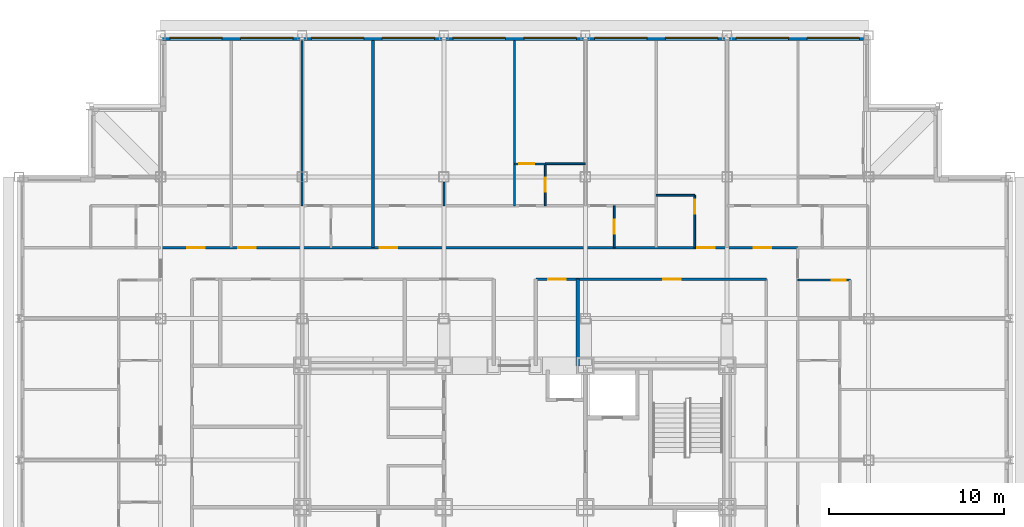
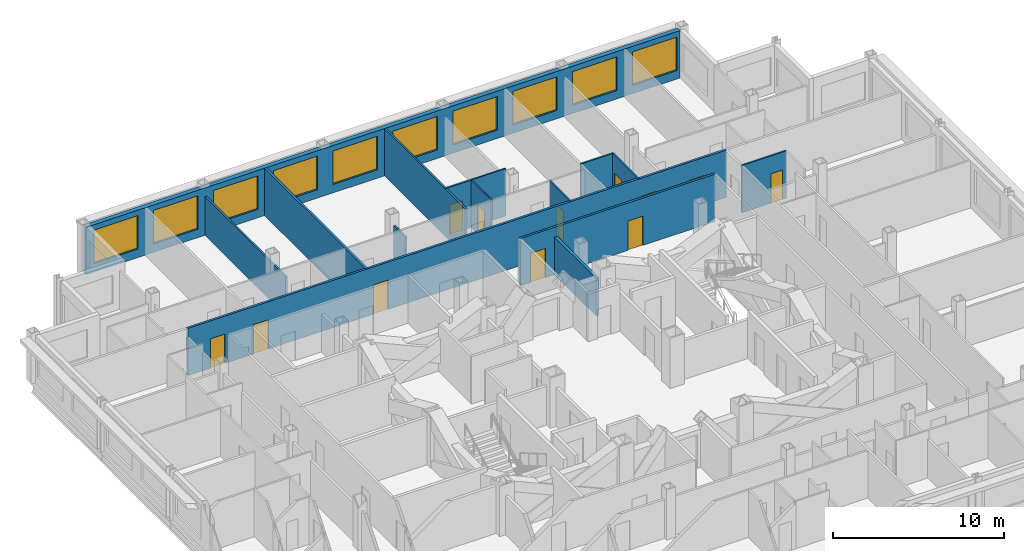
# One storey, part 10 of 12: 15 walls, 12 doors, 10 windows, 22 openings.
"""IFC4 building model written with IfcOpenShell, lengths in metres."""

from ifc_helpers import new_model, si_unit, direction, frame, frame_2d, origin, place, context, subcontext, project, spatial, rectangle, extrude, material, layer, layer_set, type_object, element, fill, save


model = new_model("IFC4")

# Units and contexts
model_context = context("Model", 3, precision=1e-05, world=origin(), true_north=direction((0.0, 1.0)))
body_context = subcontext(model_context, "Body", "Model", "MODEL_VIEW")
ifc_project = project(units=[si_unit("LENGTHUNIT", "METRE"), si_unit("AREAUNIT", "SQUARE_METRE"), si_unit("VOLUMEUNIT", "CUBIC_METRE"), si_unit("PLANEANGLEUNIT", "RADIAN"), si_unit("MASSUNIT", "GRAM", prefix="KILO")], contexts=[model_context])

# Site, building, storey
site_placement = place(None, origin())
site = spatial("IfcSite", under=ifc_project, at=site_placement, CompositionType="ELEMENT")
building_placement = place(site_placement, origin())
building = spatial("IfcBuilding", under=site, at=building_placement, Name="Kopane Lantern Tower", CompositionType="ELEMENT")
storey_placement = place(building_placement, frame((0.0, 0.0, 202.800048828125)))
storey = spatial("IfcBuildingStorey", under=building, at=storey_placement, Name="L52", CompositionType="ELEMENT", Elevation=202.800048828125)

# Walls
ifc_material_1 = material(Name="Gypsum board on steel studs", Category="steel")
ifc_layer_1 = layer(ifc_material_1, 0.1201171875)
ifc_layer_set_1 = layer_set([ifc_layer_1], Name="APARTMENT INTERNAL WALL 120")
wall_type_1 = type_object("IfcWallType", Name="APARTMENT INTERNAL WALL 120", PredefinedType="PARTITIONING", material=ifc_layer_set_1)
wall_1_placement = place(storey_placement, frame((16.199951171875, 49.64990234375, 0.0), z_axis=(0.0, 0.0, 1.0), x_axis=(0.0, 1.0, 0.0)))
element("IfcWall", 1, at=wall_1_placement, inside=storey, type_object=wall_type_1, Name="Apartment Internal Wall 120 L52", PredefinedType="PARTITIONING", context=body_context, shape_type="SweptSolid", body=[
    extrude(rectangle(XDim=9.4501953125, YDim=0.1201171875, at=frame_2d((4.72509765625, 0.0))), origin(), (0.0, 0.0, 1.0), 2.77783203125),
])
wall_2_placement = place(storey_placement, frame((28.35009765625, 49.64990234375, 0.0), z_axis=(0.0, 0.0, 1.0), x_axis=(0.0, 1.0, 0.0)))
element("IfcWall", 2, at=wall_2_placement, inside=storey, type_object=wall_type_1, Name="Apartment Internal Wall 120 L52", PredefinedType="PARTITIONING", context=body_context, shape_type="SweptSolid", body=[
    extrude(rectangle(XDim=9.4501953125, YDim=0.1201171875, at=frame_2d((4.72509765625, 0.0))), origin(), (0.0, 0.0, 1.0), 3.389892578125),
])

# Wall, opening, door
wall_3_placement = place(storey_placement, frame((28.35009765625, 52.050048828125, 0.0), z_axis=(0.0, 0.0, 1.0), x_axis=(1.0, 0.0, 0.0)))
wall_3 = element("IfcWall", 3, at=wall_3_placement, inside=storey, type_object=wall_type_1, Name="Apartment Internal Wall 120 L52", PredefinedType="PARTITIONING", context=body_context, shape_type="SweptSolid", body=[
    extrude(rectangle(XDim=1.760009765625, YDim=0.1201171875, at=frame_2d((0.8798828125, 0.0))), origin(), (0.0, 0.0, 1.0), 3.389892578125),
])
opening_1_placement = place(wall_3_placement, frame((0.27490234375, 0.0, 0.0)))
opening_1 = element("IfcOpeningElement", 4, at=opening_1_placement, cuts=wall_3, Name="Opening L52-081", PredefinedType="OPENING", context=body_context, shape_type="SweptSolid", body=[
    extrude(rectangle(XDim=0.85009765625, YDim=2.10009765625, at=frame_2d((0.425048828125, 1.050048828125))), frame((0.0, 0.070068359375, 0.0), z_axis=(0.0, -1.0, 0.0), x_axis=(1.0, 0.0, 0.0)), (0.0, 0.0, 1.0), 0.14013671875),
])
ifc_material_2 = material(Name="Timber door set", Category="wood")
door_type_1 = type_object("IfcDoorType", Name="DOOR D4 850x2100", OperationType="SINGLE_SWING_LEFT", PredefinedType="DOOR", material=ifc_material_2)
door_1_placement = place(opening_1_placement, origin())
door_1 = element("IfcDoor", 5, at=door_1_placement, inside=storey, type_object=door_type_1, Name="Door L52-081", OperationType="SINGLE_SWING_LEFT", OverallHeight=2.10009765625, OverallWidth=0.85009765625, PredefinedType="DOOR", context=body_context, shape_type="SweptSolid", body=[
    extrude(rectangle(XDim=0.85009765625, YDim=2.10009765625, at=frame_2d((0.425048828125, 1.050048828125))), frame((0.0, 0.02490234375, 0.0), z_axis=(0.0, -1.0, 0.0), x_axis=(1.0, 0.0, 0.0)), (0.0, 0.0, 1.0), 0.050048828125),
])
fill(opening_1, door_1)

# Wall
wall_4_placement = place(storey_placement, frame((24.300048828125, 49.64990234375, 0.0), z_axis=(0.0, 0.0, 1.0), x_axis=(0.0, 1.0, 0.0)))
element("IfcWall", 6, at=wall_4_placement, inside=storey, type_object=wall_type_1, Name="Apartment Internal Wall 120 L52", PredefinedType="PARTITIONING", context=body_context, shape_type="SweptSolid", body=[
    extrude(rectangle(XDim=1.35009765625, YDim=0.1201171875, at=frame_2d((0.675048828125, 0.0))), origin(), (0.0, 0.0, 1.0), 2.77783203125),
])

# Wall, opening, door
ifc_material_3 = material(Name="Moisture-resistant board on steel studs", Category="steel")
ifc_layer_2 = layer(ifc_material_3, 0.10009765625)
ifc_layer_set_2 = layer_set([ifc_layer_2], Name="BATHROOM WALL 100")
wall_type_2 = type_object("IfcWallType", Name="BATHROOM WALL 100", PredefinedType="PARTITIONING", material=ifc_layer_set_2)
wall_5_placement = place(storey_placement, frame((34.050048828125, 47.25, 0.0), z_axis=(0.0, 0.0, 1.0), x_axis=(0.0, 1.0, 0.0)))
wall_5 = element("IfcWall", 7, at=wall_5_placement, inside=storey, type_object=wall_type_2, Name="Bathroom Wall 100 L52", PredefinedType="PARTITIONING", context=body_context, shape_type="SweptSolid", body=[
    extrude(rectangle(XDim=2.39990234375, YDim=0.10009765625, at=frame_2d((1.199951171875, 0.0))), origin(), (0.0, 0.0, 1.0), 3.389892578125),
])
opening_2_placement = place(wall_5_placement, frame((0.800048828125, 0.0, 0.0)))
opening_2 = element("IfcOpeningElement", 8, at=opening_2_placement, cuts=wall_5, Name="Opening L52-033", PredefinedType="OPENING", context=body_context, shape_type="SweptSolid", body=[
    extrude(rectangle(XDim=0.800048828125, YDim=2.10009765625, at=frame_2d((0.39990234375, 1.050048828125))), frame((0.0, 0.06005859375, 0.0), z_axis=(0.0, -1.0, 0.0), x_axis=(1.0, 0.0, 0.0)), (0.0, 0.0, 1.0), 0.1201171875),
])
ifc_material_4 = material(Name="Timber door set", Category="wood")
door_type_2 = type_object("IfcDoorType", Name="DOOR D2 800x2100", OperationType="SINGLE_SWING_LEFT", PredefinedType="DOOR", material=ifc_material_4)
door_2_placement = place(opening_2_placement, origin())
door_2 = element("IfcDoor", 9, at=door_2_placement, inside=storey, type_object=door_type_2, Name="Door L52-033", OperationType="SINGLE_SWING_RIGHT", OverallHeight=2.10009765625, OverallWidth=0.800048828125, PredefinedType="DOOR", context=body_context, shape_type="SweptSolid", body=[
    extrude(rectangle(XDim=0.800048828125, YDim=2.10009765625, at=frame_2d((0.39990234375, 1.050048828125))), frame((0.0, 0.02490234375, 0.0), z_axis=(0.0, -1.0, 0.0), x_axis=(1.0, 0.0, 0.0)), (0.0, 0.0, 1.0), 0.050048828125),
])
fill(opening_2, door_2)

wall_6_placement = place(storey_placement, frame((30.10009765625, 49.64990234375, 0.0), z_axis=(0.0, 0.0, 1.0), x_axis=(0.0, 1.0, 0.0)))
wall_6 = element("IfcWall", 10, at=wall_6_placement, inside=storey, type_object=wall_type_2, Name="Bathroom Wall 100 L52", PredefinedType="PARTITIONING", context=body_context, shape_type="SweptSolid", body=[
    extrude(rectangle(XDim=2.400146484375, YDim=0.10009765625, at=frame_2d((1.2001953125, 0.0))), origin(), (0.0, 0.0, 1.0), 3.389892578125),
])
opening_3_placement = place(wall_6_placement, frame((0.800048828125, 0.0, 0.0)))
opening_3 = element("IfcOpeningElement", 11, at=opening_3_placement, cuts=wall_6, Name="Opening L52-036", PredefinedType="OPENING", context=body_context, shape_type="SweptSolid", body=[
    extrude(rectangle(XDim=0.800048828125, YDim=2.10009765625, at=frame_2d((0.39990234375, 1.050048828125))), frame((0.0, 0.06005859375, 0.0), z_axis=(0.0, -1.0, 0.0), x_axis=(1.0, 0.0, 0.0)), (0.0, 0.0, 1.0), 0.1201171875),
])
door_3_placement = place(opening_3_placement, origin())
door_3 = element("IfcDoor", 12, at=door_3_placement, inside=storey, type_object=door_type_2, Name="Door L52-036", OperationType="SINGLE_SWING_RIGHT", OverallHeight=2.10009765625, OverallWidth=0.800048828125, PredefinedType="DOOR", context=body_context, shape_type="SweptSolid", body=[
    extrude(rectangle(XDim=0.800048828125, YDim=2.10009765625, at=frame_2d((0.39990234375, 1.050048828125))), frame((0.0, 0.02490234375, 0.0), z_axis=(0.0, -1.0, 0.0), x_axis=(1.0, 0.0, 0.0)), (0.0, 0.0, 1.0), 0.050048828125),
])
fill(opening_3, door_3)

# Walls
wall_7_placement = place(storey_placement, frame((30.10009765625, 52.050048828125, 0.0), z_axis=(0.0, 0.0, 1.0), x_axis=(1.0, 0.0, 0.0)))
element("IfcWall", 13, at=wall_7_placement, inside=storey, type_object=wall_type_2, Name="Bathroom Wall 100 L52", PredefinedType="PARTITIONING", context=body_context, shape_type="SweptSolid", body=[
    extrude(rectangle(XDim=2.2998046875, YDim=0.10009765625, at=frame_2d((1.14990234375, 0.0))), origin(), (0.0, 0.0, 1.0), 3.389892578125),
])
wall_8_placement = place(storey_placement, frame((36.449951171875, 50.25, 0.0), z_axis=(0.0, 0.0, 1.0), x_axis=(1.0, 0.0, 0.0)))
element("IfcWall", 14, at=wall_8_placement, inside=storey, type_object=wall_type_2, Name="Bathroom Wall 100 L52", PredefinedType="PARTITIONING", context=body_context, shape_type="SweptSolid", body=[
    extrude(rectangle(XDim=2.199951171875, YDim=0.10009765625, at=frame_2d((1.10009765625, 0.0))), origin(), (0.0, 0.0, 1.0), 3.389892578125),
])

# Wall, opening, door
wall_9_placement = place(storey_placement, frame((38.64990234375, 47.25, 0.0), z_axis=(0.0, 0.0, 1.0), x_axis=(0.0, 1.0, 0.0)))
wall_9 = element("IfcWall", 15, at=wall_9_placement, inside=storey, type_object=wall_type_2, Name="Bathroom Wall 100 L52", PredefinedType="PARTITIONING", context=body_context, shape_type="SweptSolid", body=[
    extrude(rectangle(XDim=3.0, YDim=0.10009765625, at=frame_2d((1.5, 0.0))), origin(), (0.0, 0.0, 1.0), 3.389892578125),
])
opening_4_placement = place(wall_9_placement, frame((1.949951171875, 0.0, 0.0)))
opening_4 = element("IfcOpeningElement", 16, at=opening_4_placement, cuts=wall_9, Name="Opening L52-039", PredefinedType="OPENING", context=body_context, shape_type="SweptSolid", body=[
    extrude(rectangle(XDim=0.800048828125, YDim=2.10009765625, at=frame_2d((0.39990234375, 1.050048828125))), frame((0.0, 0.06005859375, 0.0), z_axis=(0.0, -1.0, 0.0), x_axis=(1.0, 0.0, 0.0)), (0.0, 0.0, 1.0), 0.1201171875),
])
door_4_placement = place(opening_4_placement, origin())
door_4 = element("IfcDoor", 17, at=door_4_placement, inside=storey, type_object=door_type_2, Name="Door L52-039", OperationType="SINGLE_SWING_RIGHT", OverallHeight=2.10009765625, OverallWidth=0.800048828125, PredefinedType="DOOR", context=body_context, shape_type="SweptSolid", body=[
    extrude(rectangle(XDim=0.800048828125, YDim=2.10009765625, at=frame_2d((0.39990234375, 1.050048828125))), frame((0.0, 0.02490234375, 0.0), z_axis=(0.0, -1.0, 0.0), x_axis=(1.0, 0.0, 0.0)), (0.0, 0.0, 1.0), 0.050048828125),
])
fill(opening_4, door_4)

wall_10_placement = place(storey_placement, frame((44.550048828125, 45.39990234375, 0.0), z_axis=(0.0, 0.0, 1.0), x_axis=(1.0, 0.0, 0.0)))
wall_10 = element("IfcWall", 18, at=wall_10_placement, inside=storey, type_object=wall_type_2, Name="Bathroom Wall 100 L52", PredefinedType="PARTITIONING", context=body_context, shape_type="SweptSolid", body=[
    extrude(rectangle(XDim=3.0, YDim=0.10009765625, at=frame_2d((1.5, 0.0))), origin(), (0.0, 0.0, 1.0), 3.389892578125),
])
opening_5_placement = place(wall_10_placement, frame((1.949951171875, 0.0, 0.0)))
opening_5 = element("IfcOpeningElement", 19, at=opening_5_placement, cuts=wall_10, Name="Opening L52-061", PredefinedType="OPENING", context=body_context, shape_type="SweptSolid", body=[
    extrude(rectangle(XDim=0.800048828125, YDim=2.10009765625, at=frame_2d((0.39990234375, 1.050048828125))), frame((0.0, 0.06005859375, 0.0), z_axis=(0.0, -1.0, 0.0), x_axis=(1.0, 0.0, 0.0)), (0.0, 0.0, 1.0), 0.1201171875),
])
door_5_placement = place(opening_5_placement, origin())
door_5 = element("IfcDoor", 20, at=door_5_placement, inside=storey, type_object=door_type_2, Name="Door L52-061", OperationType="SINGLE_SWING_LEFT", OverallHeight=2.10009765625, OverallWidth=0.800048828125, PredefinedType="DOOR", context=body_context, shape_type="SweptSolid", body=[
    extrude(rectangle(XDim=0.800048828125, YDim=2.10009765625, at=frame_2d((0.39990234375, 1.050048828125))), frame((0.0, 0.02490234375, 0.0), z_axis=(0.0, -1.0, 0.0), x_axis=(1.0, 0.0, 0.0)), (0.0, 0.0, 1.0), 0.050048828125),
])
fill(opening_5, door_5)

# Wall, openings, doors
ifc_material_5 = material(Name="Gypsum board on steel studs", Category="steel")
ifc_layer_3 = layer(ifc_material_5, 0.14990234375)
ifc_layer_set_3 = layer_set([ifc_layer_3], Name="CORRIDOR WALL 150 EI 60")
wall_type_3 = type_object("IfcWallType", Name="CORRIDOR WALL 150 EI 60", PredefinedType="PARTITIONING", material=ifc_layer_set_3)
wall_11_placement = place(storey_placement, frame((8.10009765625, 47.25, 0.0), z_axis=(0.0, 0.0, 1.0), x_axis=(1.0, 0.0, 0.0)))
wall_11 = element("IfcWall", 21, at=wall_11_placement, inside=storey, type_object=wall_type_3, Name="Corridor Wall 150 Ei 60 L52", PredefinedType="PARTITIONING", context=body_context, shape_type="SweptSolid", body=[
    extrude(rectangle(XDim=36.449951171875, YDim=0.14990234375, at=frame_2d((18.22509765625, 0.0))), origin(), (0.0, 0.0, 1.0), 3.389892578125),
])
opening_6_placement = place(wall_11_placement, frame((4.449951171875, 0.0, 0.0)))
opening_6 = element("IfcOpeningElement", 22, at=opening_6_placement, cuts=wall_11, Name="Opening L52-030", PredefinedType="OPENING", context=body_context, shape_type="SweptSolid", body=[
    extrude(rectangle(XDim=1.0, YDim=2.10009765625, at=frame_2d((0.5, 1.050048828125))), frame((0.0, 0.0849609375, 0.0), z_axis=(0.0, -1.0, 0.0), x_axis=(1.0, 0.0, 0.0)), (0.0, 0.0, 1.0), 0.169921875),
])
opening_7_placement = place(wall_11_placement, frame((12.550048828125, 0.0, 0.0)))
opening_7 = element("IfcOpeningElement", 23, at=opening_7_placement, cuts=wall_11, Name="Opening L52-034", PredefinedType="OPENING", context=body_context, shape_type="SweptSolid", body=[
    extrude(rectangle(XDim=1.0, YDim=2.10009765625, at=frame_2d((0.5, 1.050048828125))), frame((0.0, 0.0849609375, 0.0), z_axis=(0.0, -1.0, 0.0), x_axis=(1.0, 0.0, 0.0)), (0.0, 0.0, 1.0), 0.169921875),
])
opening_8_placement = place(wall_11_placement, frame((30.699951171875, 0.0, 0.0)))
opening_8 = element("IfcOpeningElement", 24, at=opening_8_placement, cuts=wall_11, Name="Opening L52-040", PredefinedType="OPENING", context=body_context, shape_type="SweptSolid", body=[
    extrude(rectangle(XDim=1.0, YDim=2.10009765625, at=frame_2d((0.5, 1.050048828125))), frame((0.0, 0.0849609375, 0.0), z_axis=(0.0, -1.0, 0.0), x_axis=(1.0, 0.0, 0.0)), (0.0, 0.0, 1.0), 0.169921875),
])
opening_9_placement = place(wall_11_placement, frame((33.925048828125, 0.0, 0.0)))
opening_9 = element("IfcOpeningElement", 25, at=opening_9_placement, cuts=wall_11, Name="Opening L52-070", PredefinedType="OPENING", context=body_context, shape_type="SweptSolid", body=[
    extrude(rectangle(XDim=1.0, YDim=2.10009765625, at=frame_2d((0.5, 1.050048828125))), frame((0.0, 0.0849609375, 0.0), z_axis=(0.0, -1.0, 0.0), x_axis=(1.0, 0.0, 0.0)), (0.0, 0.0, 1.0), 0.169921875),
])
opening_10_placement = place(wall_11_placement, frame((1.52490234375, 0.0, 0.0)))
opening_10 = element("IfcOpeningElement", 26, at=opening_10_placement, cuts=wall_11, Name="Opening L52-075", PredefinedType="OPENING", context=body_context, shape_type="SweptSolid", body=[
    extrude(rectangle(XDim=1.0, YDim=2.10009765625, at=frame_2d((0.5, 1.050048828125))), frame((0.0, 0.0849609375, 0.0), z_axis=(0.0, -1.0, 0.0), x_axis=(1.0, 0.0, 0.0)), (0.0, 0.0, 1.0), 0.169921875),
])
ifc_material_6 = material(Name="Steel door set", Category="steel")
door_type_3 = type_object("IfcDoorType", Name="DOOR D3 1000x2100 FD30S", OperationType="SINGLE_SWING_LEFT", PredefinedType="DOOR", material=ifc_material_6)
door_6_placement = place(opening_6_placement, origin())
door_6 = element("IfcDoor", 27, at=door_6_placement, inside=storey, type_object=door_type_3, Name="Door L52-030", OperationType="SINGLE_SWING_LEFT", OverallHeight=2.10009765625, OverallWidth=1.0, PredefinedType="DOOR", context=body_context, shape_type="SweptSolid", body=[
    extrude(rectangle(XDim=1.0, YDim=2.10009765625, at=frame_2d((0.5, 1.050048828125))), frame((0.0, 0.02490234375, 0.0), z_axis=(0.0, -1.0, 0.0), x_axis=(1.0, 0.0, 0.0)), (0.0, 0.0, 1.0), 0.050048828125),
])
fill(opening_6, door_6)
door_7_placement = place(opening_7_placement, origin())
door_7 = element("IfcDoor", 28, at=door_7_placement, inside=storey, type_object=door_type_3, Name="Door L52-034", OperationType="SINGLE_SWING_LEFT", OverallHeight=2.10009765625, OverallWidth=1.0, PredefinedType="DOOR", context=body_context, shape_type="SweptSolid", body=[
    extrude(rectangle(XDim=1.0, YDim=2.10009765625, at=frame_2d((0.5, 1.050048828125))), frame((0.0, 0.02490234375, 0.0), z_axis=(0.0, -1.0, 0.0), x_axis=(1.0, 0.0, 0.0)), (0.0, 0.0, 1.0), 0.050048828125),
])
fill(opening_7, door_7)
door_8_placement = place(opening_8_placement, origin())
door_8 = element("IfcDoor", 29, at=door_8_placement, inside=storey, type_object=door_type_3, Name="Door L52-040", OperationType="SINGLE_SWING_LEFT", OverallHeight=2.10009765625, OverallWidth=1.0, PredefinedType="DOOR", context=body_context, shape_type="SweptSolid", body=[
    extrude(rectangle(XDim=1.0, YDim=2.10009765625, at=frame_2d((0.5, 1.050048828125))), frame((0.0, 0.02490234375, 0.0), z_axis=(0.0, -1.0, 0.0), x_axis=(1.0, 0.0, 0.0)), (0.0, 0.0, 1.0), 0.050048828125),
])
fill(opening_8, door_8)
door_9_placement = place(opening_9_placement, origin())
door_9 = element("IfcDoor", 30, at=door_9_placement, inside=storey, type_object=door_type_3, Name="Door L52-070", OperationType="SINGLE_SWING_LEFT", OverallHeight=2.10009765625, OverallWidth=1.0, PredefinedType="DOOR", context=body_context, shape_type="SweptSolid", body=[
    extrude(rectangle(XDim=1.0, YDim=2.10009765625, at=frame_2d((0.5, 1.050048828125))), frame((0.0, 0.02490234375, 0.0), z_axis=(0.0, -1.0, 0.0), x_axis=(1.0, 0.0, 0.0)), (0.0, 0.0, 1.0), 0.050048828125),
])
fill(opening_9, door_9)
door_10_placement = place(opening_10_placement, origin())
door_10 = element("IfcDoor", 31, at=door_10_placement, inside=storey, type_object=door_type_3, Name="Door L52-075", OperationType="SINGLE_SWING_RIGHT", OverallHeight=2.10009765625, OverallWidth=1.0, PredefinedType="DOOR", context=body_context, shape_type="SweptSolid", body=[
    extrude(rectangle(XDim=1.0, YDim=2.10009765625, at=frame_2d((0.5, 1.050048828125))), frame((0.0, 0.02490234375, 0.0), z_axis=(0.0, -1.0, 0.0), x_axis=(1.0, 0.0, 0.0)), (0.0, 0.0, 1.0), 0.050048828125),
])
fill(opening_10, door_10)

wall_12_placement = place(storey_placement, frame((42.75, 45.449951171875, 0.0), z_axis=(0.0, 0.0, 1.0), x_axis=(-1.0, 0.0, 0.0)))
wall_12 = element("IfcWall", 32, at=wall_12_placement, inside=storey, type_object=wall_type_3, Name="Corridor Wall 150 Ei 60 L52", PredefinedType="PARTITIONING", context=body_context, shape_type="SweptSolid", body=[
    extrude(rectangle(XDim=13.18994140625, YDim=0.14990234375, at=frame_2d((6.594970703125, 0.0))), origin(), (0.0, 0.0, 1.0), 3.389892578125),
])
opening_11_placement = place(wall_12_placement, frame((11.48779296875, 0.0, 0.0)))
opening_11 = element("IfcOpeningElement", 33, at=opening_11_placement, cuts=wall_12, Name="Opening L52-015", PredefinedType="OPENING", context=body_context, shape_type="SweptSolid", body=[
    extrude(rectangle(XDim=1.0, YDim=2.10009765625, at=frame_2d((0.5, 1.050048828125))), frame((0.0, 0.0849609375, 0.0), z_axis=(0.0, -1.0, 0.0), x_axis=(1.0, 0.0, 0.0)), (0.0, 0.0, 1.0), 0.169921875),
])
opening_12_placement = place(wall_12_placement, frame((4.887939453125, 0.0, 0.0)))
opening_12 = element("IfcOpeningElement", 34, at=opening_12_placement, cuts=wall_12, Name="Opening L52-016", PredefinedType="OPENING", context=body_context, shape_type="SweptSolid", body=[
    extrude(rectangle(XDim=1.0, YDim=2.10009765625, at=frame_2d((0.5, 1.050048828125))), frame((0.0, 0.0849609375, 0.0), z_axis=(0.0, -1.0, 0.0), x_axis=(1.0, 0.0, 0.0)), (0.0, 0.0, 1.0), 0.169921875),
])
ifc_material_7 = material(Name="Steel door set", Category="steel")
door_type_4 = type_object("IfcDoorType", Name="DOOR D5 1000x2100 FD60", OperationType="SINGLE_SWING_LEFT", PredefinedType="DOOR", material=ifc_material_7)
door_11_placement = place(opening_11_placement, origin())
door_11 = element("IfcDoor", 35, at=door_11_placement, inside=storey, type_object=door_type_4, Name="Door L52-015", OperationType="SINGLE_SWING_RIGHT", OverallHeight=2.10009765625, OverallWidth=1.0, PredefinedType="DOOR", context=body_context, shape_type="SweptSolid", body=[
    extrude(rectangle(XDim=1.0, YDim=2.10009765625, at=frame_2d((0.5, 1.050048828125))), frame((0.0, 0.02490234375, 0.0), z_axis=(0.0, -1.0, 0.0), x_axis=(1.0, 0.0, 0.0)), (0.0, 0.0, 1.0), 0.050048828125),
])
fill(opening_11, door_11)
door_12_placement = place(opening_12_placement, origin())
door_12 = element("IfcDoor", 36, at=door_12_placement, inside=storey, type_object=door_type_4, Name="Door L52-016", OperationType="SINGLE_SWING_LEFT", OverallHeight=2.10009765625, OverallWidth=1.0, PredefinedType="DOOR", context=body_context, shape_type="SweptSolid", body=[
    extrude(rectangle(XDim=1.0, YDim=2.10009765625, at=frame_2d((0.5, 1.050048828125))), frame((0.0, 0.02490234375, 0.0), z_axis=(0.0, -1.0, 0.0), x_axis=(1.0, 0.0, 0.0)), (0.0, 0.0, 1.0), 0.050048828125),
])
fill(opening_12, door_12)

# Wall
ifc_material_8 = material(Name="Gypsum board on steel studs", Category="steel")
ifc_layer_4 = layer(ifc_material_8, 0.14990234375)
ifc_layer_set_4 = layer_set([ifc_layer_4], Name="DEMISING WALL 150 EI 60")
wall_type_4 = type_object("IfcWallType", Name="DEMISING WALL 150 EI 60", PredefinedType="PARTITIONING", material=ifc_layer_set_4)
wall_13_placement = place(storey_placement, frame((20.25, 47.25, 0.0), z_axis=(0.0, 0.0, 1.0), x_axis=(0.0, 1.0, 0.0)))
element("IfcWall", 37, at=wall_13_placement, inside=storey, type_object=wall_type_4, Name="Demising Wall 150 Ei 60 L52", PredefinedType="PARTITIONING", context=body_context, shape_type="SweptSolid", body=[
    extrude(rectangle(XDim=11.85009765625, YDim=0.14990234375, at=frame_2d((5.925048828125, 0.0))), origin(), (0.0, 0.0, 1.0), 3.389892578125),
])

# Wall, openings, windows
ifc_material_9 = material(Name="Terracotta rainscreen on light steel framing", Category="masonry")
ifc_layer_5 = layer(ifc_material_9, 0.300048828125)
ifc_layer_set_5 = layer_set([ifc_layer_5], Name="EXTERNAL WALL EW1 300 TERRACOTTA")
wall_type_5 = type_object("IfcWallType", Name="EXTERNAL WALL EW1 300 TERRACOTTA", PredefinedType="SOLIDWALL", material=ifc_layer_set_5)
wall_14_placement = place(storey_placement, frame((48.300048828125, 59.25, 0.0), z_axis=(0.0, 0.0, 1.0), x_axis=(-1.0, 0.0, 0.0)))
wall_14 = element("IfcWall", 38, at=wall_14_placement, inside=storey, type_object=wall_type_5, Name="External wall N L52", PredefinedType="SOLIDWALL", context=body_context, shape_type="SweptSolid", body=[
    extrude(rectangle(XDim=40.199951171875, YDim=0.300048828125, at=frame_2d((20.10009765625, 0.0))), origin(), (0.0, 0.0, 1.0), 3.389892578125),
])
opening_13_placement = place(wall_14_placement, frame((0.22509765625, 0.0, 0.60009765625)))
opening_13 = element("IfcOpeningElement", 39, at=opening_13_placement, cuts=wall_14, Name="Opening WR300240", PredefinedType="OPENING", context=body_context, shape_type="SweptSolid", body=[
    extrude(rectangle(XDim=3.0, YDim=2.39990234375, at=frame_2d((1.5, 1.199951171875))), frame((0.0, 0.159912109375, 0.0), z_axis=(0.0, -1.0, 0.0), x_axis=(1.0, 0.0, 0.0)), (0.0, 0.0, 1.0), 0.320068359375),
])
opening_14_placement = place(wall_14_placement, frame((4.27490234375, 0.0, 0.60009765625)))
opening_14 = element("IfcOpeningElement", 40, at=opening_14_placement, cuts=wall_14, Name="Opening WR300240", PredefinedType="OPENING", context=body_context, shape_type="SweptSolid", body=[
    extrude(rectangle(XDim=3.0, YDim=2.39990234375, at=frame_2d((1.5, 1.199951171875))), frame((0.0, 0.159912109375, 0.0), z_axis=(0.0, -1.0, 0.0), x_axis=(1.0, 0.0, 0.0)), (0.0, 0.0, 1.0), 0.320068359375),
])
opening_15_placement = place(wall_14_placement, frame((8.324951171875, 0.0, 0.60009765625)))
opening_15 = element("IfcOpeningElement", 41, at=opening_15_placement, cuts=wall_14, Name="Opening WR300240", PredefinedType="OPENING", context=body_context, shape_type="SweptSolid", body=[
    extrude(rectangle(XDim=3.0, YDim=2.39990234375, at=frame_2d((1.5, 1.199951171875))), frame((0.0, 0.159912109375, 0.0), z_axis=(0.0, -1.0, 0.0), x_axis=(1.0, 0.0, 0.0)), (0.0, 0.0, 1.0), 0.320068359375),
])
opening_16_placement = place(wall_14_placement, frame((12.375, 0.0, 0.60009765625)))
opening_16 = element("IfcOpeningElement", 42, at=opening_16_placement, cuts=wall_14, Name="Opening WR300240", PredefinedType="OPENING", context=body_context, shape_type="SweptSolid", body=[
    extrude(rectangle(XDim=3.0, YDim=2.39990234375, at=frame_2d((1.5, 1.199951171875))), frame((0.0, 0.159912109375, 0.0), z_axis=(0.0, -1.0, 0.0), x_axis=(1.0, 0.0, 0.0)), (0.0, 0.0, 1.0), 0.320068359375),
])
opening_17_placement = place(wall_14_placement, frame((16.425048828125, 0.0, 0.60009765625)))
opening_17 = element("IfcOpeningElement", 43, at=opening_17_placement, cuts=wall_14, Name="Opening WR300240", PredefinedType="OPENING", context=body_context, shape_type="SweptSolid", body=[
    extrude(rectangle(XDim=3.0, YDim=2.39990234375, at=frame_2d((1.5, 1.199951171875))), frame((0.0, 0.159912109375, 0.0), z_axis=(0.0, -1.0, 0.0), x_axis=(1.0, 0.0, 0.0)), (0.0, 0.0, 1.0), 0.320068359375),
])
opening_18_placement = place(wall_14_placement, frame((20.47509765625, 0.0, 0.60009765625)))
opening_18 = element("IfcOpeningElement", 44, at=opening_18_placement, cuts=wall_14, Name="Opening WR300240", PredefinedType="OPENING", context=body_context, shape_type="SweptSolid", body=[
    extrude(rectangle(XDim=3.0, YDim=2.39990234375, at=frame_2d((1.5, 1.199951171875))), frame((0.0, 0.159912109375, 0.0), z_axis=(0.0, -1.0, 0.0), x_axis=(1.0, 0.0, 0.0)), (0.0, 0.0, 1.0), 0.320068359375),
])
opening_19_placement = place(wall_14_placement, frame((24.52490234375, 0.0, 0.60009765625)))
opening_19 = element("IfcOpeningElement", 45, at=opening_19_placement, cuts=wall_14, Name="Opening WR300240", PredefinedType="OPENING", context=body_context, shape_type="SweptSolid", body=[
    extrude(rectangle(XDim=3.0, YDim=2.39990234375, at=frame_2d((1.5, 1.199951171875))), frame((0.0, 0.159912109375, 0.0), z_axis=(0.0, -1.0, 0.0), x_axis=(1.0, 0.0, 0.0)), (0.0, 0.0, 1.0), 0.320068359375),
])
opening_20_placement = place(wall_14_placement, frame((28.574951171875, 0.0, 0.60009765625)))
opening_20 = element("IfcOpeningElement", 46, at=opening_20_placement, cuts=wall_14, Name="Opening WR300240", PredefinedType="OPENING", context=body_context, shape_type="SweptSolid", body=[
    extrude(rectangle(XDim=3.0, YDim=2.39990234375, at=frame_2d((1.5, 1.199951171875))), frame((0.0, 0.159912109375, 0.0), z_axis=(0.0, -1.0, 0.0), x_axis=(1.0, 0.0, 0.0)), (0.0, 0.0, 1.0), 0.320068359375),
])
opening_21_placement = place(wall_14_placement, frame((32.625, 0.0, 0.60009765625)))
opening_21 = element("IfcOpeningElement", 47, at=opening_21_placement, cuts=wall_14, Name="Opening WR300240", PredefinedType="OPENING", context=body_context, shape_type="SweptSolid", body=[
    extrude(rectangle(XDim=3.0, YDim=2.39990234375, at=frame_2d((1.5, 1.199951171875))), frame((0.0, 0.159912109375, 0.0), z_axis=(0.0, -1.0, 0.0), x_axis=(1.0, 0.0, 0.0)), (0.0, 0.0, 1.0), 0.320068359375),
])
opening_22_placement = place(wall_14_placement, frame((36.675048828125, 0.0, 0.60009765625)))
opening_22 = element("IfcOpeningElement", 48, at=opening_22_placement, cuts=wall_14, Name="Opening WR300240", PredefinedType="OPENING", context=body_context, shape_type="SweptSolid", body=[
    extrude(rectangle(XDim=3.0, YDim=2.39990234375, at=frame_2d((1.5, 1.199951171875))), frame((0.0, 0.159912109375, 0.0), z_axis=(0.0, -1.0, 0.0), x_axis=(1.0, 0.0, 0.0)), (0.0, 0.0, 1.0), 0.320068359375),
])
ifc_material_10 = material(Name="Aluminium and clear glass", Category="aluminium")
window_type = type_object("IfcWindowType", Name="RIBBON WINDOW WR300240 3000x2400", PartitioningType="SINGLE_PANEL", PredefinedType="WINDOW", material=ifc_material_10)
window_1_placement = place(opening_13_placement, origin())
window_1 = element("IfcWindow", 49, at=window_1_placement, inside=storey, type_object=window_type, Name="Window N L52", OverallHeight=2.39990234375, OverallWidth=3.0, PartitioningType="SINGLE_PANEL", PredefinedType="WINDOW", context=body_context, shape_type="SweptSolid", body=[
    extrude(rectangle(XDim=3.0, YDim=2.39990234375, at=frame_2d((1.5, 1.199951171875))), frame((0.0, 0.030029296875, 0.0), z_axis=(0.0, -1.0, 0.0), x_axis=(1.0, 0.0, 0.0)), (0.0, 0.0, 1.0), 0.06005859375),
])
fill(opening_13, window_1)
window_2_placement = place(opening_14_placement, origin())
window_2 = element("IfcWindow", 50, at=window_2_placement, inside=storey, type_object=window_type, Name="Window N L52", OverallHeight=2.39990234375, OverallWidth=3.0, PartitioningType="SINGLE_PANEL", PredefinedType="WINDOW", context=body_context, shape_type="SweptSolid", body=[
    extrude(rectangle(XDim=3.0, YDim=2.39990234375, at=frame_2d((1.5, 1.199951171875))), frame((0.0, 0.030029296875, 0.0), z_axis=(0.0, -1.0, 0.0), x_axis=(1.0, 0.0, 0.0)), (0.0, 0.0, 1.0), 0.06005859375),
])
fill(opening_14, window_2)
window_3_placement = place(opening_15_placement, origin())
window_3 = element("IfcWindow", 51, at=window_3_placement, inside=storey, type_object=window_type, Name="Window N L52", OverallHeight=2.39990234375, OverallWidth=3.0, PartitioningType="SINGLE_PANEL", PredefinedType="WINDOW", context=body_context, shape_type="SweptSolid", body=[
    extrude(rectangle(XDim=3.0, YDim=2.39990234375, at=frame_2d((1.5, 1.199951171875))), frame((0.0, 0.030029296875, 0.0), z_axis=(0.0, -1.0, 0.0), x_axis=(1.0, 0.0, 0.0)), (0.0, 0.0, 1.0), 0.06005859375),
])
fill(opening_15, window_3)
window_4_placement = place(opening_16_placement, origin())
window_4 = element("IfcWindow", 52, at=window_4_placement, inside=storey, type_object=window_type, Name="Window N L52", OverallHeight=2.39990234375, OverallWidth=3.0, PartitioningType="SINGLE_PANEL", PredefinedType="WINDOW", context=body_context, shape_type="SweptSolid", body=[
    extrude(rectangle(XDim=3.0, YDim=2.39990234375, at=frame_2d((1.5, 1.199951171875))), frame((0.0, 0.030029296875, 0.0), z_axis=(0.0, -1.0, 0.0), x_axis=(1.0, 0.0, 0.0)), (0.0, 0.0, 1.0), 0.06005859375),
])
fill(opening_16, window_4)
window_5_placement = place(opening_17_placement, origin())
window_5 = element("IfcWindow", 53, at=window_5_placement, inside=storey, type_object=window_type, Name="Window N L52", OverallHeight=2.39990234375, OverallWidth=3.0, PartitioningType="SINGLE_PANEL", PredefinedType="WINDOW", context=body_context, shape_type="SweptSolid", body=[
    extrude(rectangle(XDim=3.0, YDim=2.39990234375, at=frame_2d((1.5, 1.199951171875))), frame((0.0, 0.030029296875, 0.0), z_axis=(0.0, -1.0, 0.0), x_axis=(1.0, 0.0, 0.0)), (0.0, 0.0, 1.0), 0.06005859375),
])
fill(opening_17, window_5)
window_6_placement = place(opening_18_placement, origin())
window_6 = element("IfcWindow", 54, at=window_6_placement, inside=storey, type_object=window_type, Name="Window N L52", OverallHeight=2.39990234375, OverallWidth=3.0, PartitioningType="SINGLE_PANEL", PredefinedType="WINDOW", context=body_context, shape_type="SweptSolid", body=[
    extrude(rectangle(XDim=3.0, YDim=2.39990234375, at=frame_2d((1.5, 1.199951171875))), frame((0.0, 0.030029296875, 0.0), z_axis=(0.0, -1.0, 0.0), x_axis=(1.0, 0.0, 0.0)), (0.0, 0.0, 1.0), 0.06005859375),
])
fill(opening_18, window_6)
window_7_placement = place(opening_19_placement, origin())
window_7 = element("IfcWindow", 55, at=window_7_placement, inside=storey, type_object=window_type, Name="Window N L52", OverallHeight=2.39990234375, OverallWidth=3.0, PartitioningType="SINGLE_PANEL", PredefinedType="WINDOW", context=body_context, shape_type="SweptSolid", body=[
    extrude(rectangle(XDim=3.0, YDim=2.39990234375, at=frame_2d((1.5, 1.199951171875))), frame((0.0, 0.030029296875, 0.0), z_axis=(0.0, -1.0, 0.0), x_axis=(1.0, 0.0, 0.0)), (0.0, 0.0, 1.0), 0.06005859375),
])
fill(opening_19, window_7)
window_8_placement = place(opening_20_placement, origin())
window_8 = element("IfcWindow", 56, at=window_8_placement, inside=storey, type_object=window_type, Name="Window N L52", OverallHeight=2.39990234375, OverallWidth=3.0, PartitioningType="SINGLE_PANEL", PredefinedType="WINDOW", context=body_context, shape_type="SweptSolid", body=[
    extrude(rectangle(XDim=3.0, YDim=2.39990234375, at=frame_2d((1.5, 1.199951171875))), frame((0.0, 0.030029296875, 0.0), z_axis=(0.0, -1.0, 0.0), x_axis=(1.0, 0.0, 0.0)), (0.0, 0.0, 1.0), 0.06005859375),
])
fill(opening_20, window_8)
window_9_placement = place(opening_21_placement, origin())
window_9 = element("IfcWindow", 57, at=window_9_placement, inside=storey, type_object=window_type, Name="Window N L52", OverallHeight=2.39990234375, OverallWidth=3.0, PartitioningType="SINGLE_PANEL", PredefinedType="WINDOW", context=body_context, shape_type="SweptSolid", body=[
    extrude(rectangle(XDim=3.0, YDim=2.39990234375, at=frame_2d((1.5, 1.199951171875))), frame((0.0, 0.030029296875, 0.0), z_axis=(0.0, -1.0, 0.0), x_axis=(1.0, 0.0, 0.0)), (0.0, 0.0, 1.0), 0.06005859375),
])
fill(opening_21, window_9)
window_10_placement = place(opening_22_placement, origin())
window_10 = element("IfcWindow", 58, at=window_10_placement, inside=storey, type_object=window_type, Name="Window N L52", OverallHeight=2.39990234375, OverallWidth=3.0, PartitioningType="SINGLE_PANEL", PredefinedType="WINDOW", context=body_context, shape_type="SweptSolid", body=[
    extrude(rectangle(XDim=3.0, YDim=2.39990234375, at=frame_2d((1.5, 1.199951171875))), frame((0.0, 0.030029296875, 0.0), z_axis=(0.0, -1.0, 0.0), x_axis=(1.0, 0.0, 0.0)), (0.0, 0.0, 1.0), 0.06005859375),
])
fill(opening_22, window_10)

# Wall
ifc_material_11 = material(Name="Concrete masonry", Category="masonry")
ifc_layer_6 = layer(ifc_material_11, 0.199951171875)
ifc_layer_set_6 = layer_set([ifc_layer_6], Name="PLANT ROOM WALL 200 EI 120")
wall_type_6 = type_object("IfcWallType", Name="PLANT ROOM WALL 200 EI 120", PredefinedType="SOLIDWALL", material=ifc_layer_set_6)
wall_15_placement = place(storey_placement, frame((31.97412109375, 45.449951171875, 0.0), z_axis=(0.0, 0.0, 1.0), x_axis=(0.0, -1.0, 0.0)))
element("IfcWall", 59, at=wall_15_placement, inside=storey, type_object=wall_type_6, Name="Plant Room Wall 200 Ei 120 L52", PredefinedType="SOLIDWALL", context=body_context, shape_type="SweptSolid", body=[
    extrude(rectangle(XDim=4.949951171875, YDim=0.199951171875, at=frame_2d((2.47509765625, 0.0))), origin(), (0.0, 0.0, 1.0), 2.68994140625),
])

save(model, "model.ifc")
